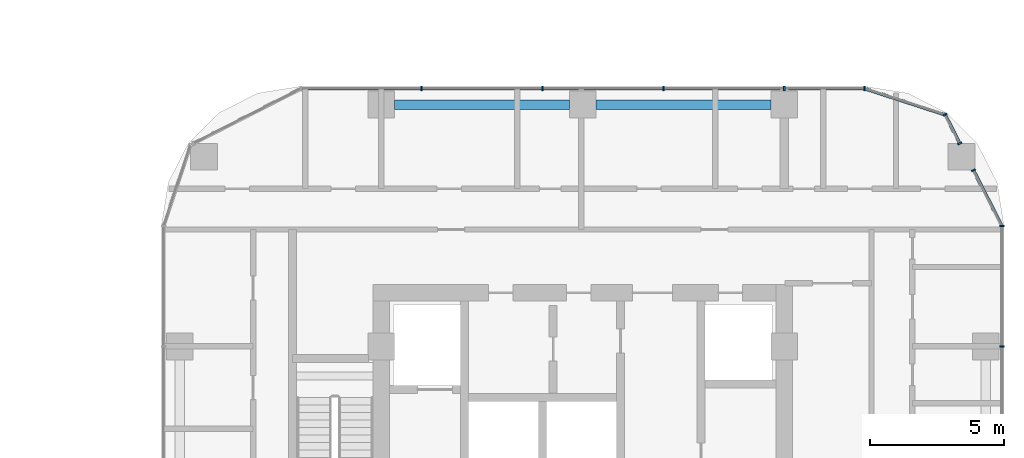
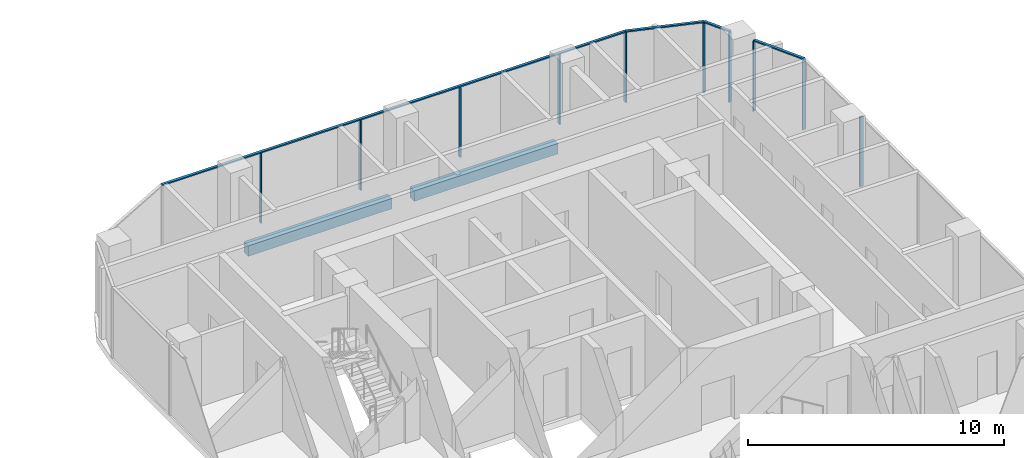
# One storey, part 8 of 30: 14 members, 2 beams, 4 elements without a shape of their own.
"""IFC4 building model written with IfcOpenShell, lengths in metres."""

from ifc_helpers import new_model, si_unit, direction, frame, origin, origin_2d, place, context, subcontext, project, spatial, rectangle, extrude, material, material_profile, profile_set, type_object, element, aggregate, save


model = new_model("IFC4")

# Units and contexts
model_context = context("Model", 3, precision=1e-05, world=origin(), true_north=direction((0.0, 1.0)))
body_context = subcontext(model_context, "Body", "Model", "MODEL_VIEW")
ifc_project = project(units=[si_unit("LENGTHUNIT", "METRE"), si_unit("AREAUNIT", "SQUARE_METRE"), si_unit("VOLUMEUNIT", "CUBIC_METRE"), si_unit("PLANEANGLEUNIT", "RADIAN"), si_unit("MASSUNIT", "GRAM", prefix="KILO")], contexts=[model_context])

# Site, building, storey
site_placement = place(None, origin())
site = spatial("IfcSite", under=ifc_project, at=site_placement, CompositionType="ELEMENT")
building_placement = place(site_placement, origin())
building = spatial("IfcBuilding", under=site, at=building_placement, Name="Ogive Portal Towers", CompositionType="ELEMENT")
storey_placement = place(building_placement, frame((0.0, 0.0, 37.199951171875)))
storey = spatial("IfcBuildingStorey", under=building, at=storey_placement, Name="L07", CompositionType="ELEMENT", Elevation=37.199951171875)

# Curtain wall, members
ifc_material_1 = material(Name="Glass, clear low-iron insulated glazing", Category="glass")
curtain_wall_type = type_object("IfcCurtainWallType", Name="CW RESIDENCES RIBBON", PredefinedType="NOTDEFINED", material=ifc_material_1)
curtain_wall_1_placement = place(storey_placement, origin())
curtain_wall_1 = element("IfcCurtainWall", 1, at=curtain_wall_1_placement, inside=storey, type_object=curtain_wall_type, Name="B:L07:f05:cw0", PredefinedType="NOTDEFINED")
ifc_material_2 = material(Name="Aluminium 6063 anodised", Category="aluminium")
ifc_material_profile_1 = material_profile(ifc_material_2, rectangle(XDim=0.159912109375, YDim=0.06005859375, at=origin_2d()), Name="AL 60x160")
ifc_profile_set_1 = profile_set([ifc_material_profile_1], Name="Aluminium 6063 anodised")
member_type_1 = type_object("IfcMemberType", Name="CW MULLION 60x160", PredefinedType="MULLION", material=ifc_profile_set_1)
member_1_placement = place(storey_placement, frame((152.10009765625, 35.5, 0.0), z_axis=(0.0, 0.0, 1.0), x_axis=(-1.0, 0.0, 0.0)))
member_1 = element("IfcMember", 2, at=member_1_placement, type_object=member_type_1, Name="mullion", PredefinedType="MULLION", context=body_context, shape_type="SweptSolid", body=[
    extrude(rectangle(XDim=0.159912109375, YDim=0.06005859375, at=origin_2d()), origin(), (0.0, 0.0, 1.0), 3.340087890625),
])
member_2_placement = place(storey_placement, frame((152.10009765625, 39.980712890625, 0.0), z_axis=(0.0, 0.0, 1.0), x_axis=(-1.0, 0.0, 0.0)))
member_2 = element("IfcMember", 3, at=member_2_placement, type_object=member_type_1, Name="mullion", PredefinedType="MULLION", context=body_context, shape_type="SweptSolid", body=[
    extrude(rectangle(XDim=0.159912109375, YDim=0.06005859375, at=origin_2d()), origin(), (0.0, 0.0, 1.0), 3.340087890625),
])
aggregate(curtain_wall_1, [member_1, member_2])

curtain_wall_2_placement = place(storey_placement, origin())
curtain_wall_2 = element("IfcCurtainWall", 4, at=curtain_wall_2_placement, inside=storey, type_object=curtain_wall_type, Name="B:L07:f08:cw0", PredefinedType="NOTDEFINED")
member_3_placement = place(storey_placement, frame((146.9873046875, 45.10009765625, 0.0), z_axis=(0.0, 0.0, 1.0), x_axis=(0.0, -1.0, 0.0)))
member_3 = element("IfcMember", 5, at=member_3_placement, type_object=member_type_1, Name="mullion", PredefinedType="MULLION", context=body_context, shape_type="SweptSolid", body=[
    extrude(rectangle(XDim=0.159912109375, YDim=0.06005859375, at=origin_2d()), origin(), (0.0, 0.0, 1.0), 3.340087890625),
])
member_4_placement = place(storey_placement, frame((144.0, 45.10009765625, 0.0), z_axis=(0.0, 0.0, 1.0), x_axis=(0.0, -1.0, 0.0)))
member_4 = element("IfcMember", 6, at=member_4_placement, type_object=member_type_1, Name="mullion", PredefinedType="MULLION", context=body_context, shape_type="SweptSolid", body=[
    extrude(rectangle(XDim=0.159912109375, YDim=0.06005859375, at=origin_2d()), origin(), (0.0, 0.0, 1.0), 3.340087890625),
])
member_5_placement = place(storey_placement, frame((139.5, 45.10009765625, 0.0), z_axis=(0.0, 0.0, 1.0), x_axis=(0.0, -1.0, 0.0)))
member_5 = element("IfcMember", 7, at=member_5_placement, type_object=member_type_1, Name="mullion", PredefinedType="MULLION", context=body_context, shape_type="SweptSolid", body=[
    extrude(rectangle(XDim=0.159912109375, YDim=0.06005859375, at=origin_2d()), origin(), (0.0, 0.0, 1.0), 3.340087890625),
])
member_6_placement = place(storey_placement, frame((135.0, 45.10009765625, 0.0), z_axis=(0.0, 0.0, 1.0), x_axis=(0.0, -1.0, 0.0)))
member_6 = element("IfcMember", 8, at=member_6_placement, type_object=member_type_1, Name="mullion", PredefinedType="MULLION", context=body_context, shape_type="SweptSolid", body=[
    extrude(rectangle(XDim=0.159912109375, YDim=0.06005859375, at=origin_2d()), origin(), (0.0, 0.0, 1.0), 3.340087890625),
])
member_7_placement = place(storey_placement, frame((130.5, 45.10009765625, 0.0), z_axis=(0.0, 0.0, 1.0), x_axis=(0.0, -1.0, 0.0)))
member_7 = element("IfcMember", 9, at=member_7_placement, type_object=member_type_1, Name="mullion", PredefinedType="MULLION", context=body_context, shape_type="SweptSolid", body=[
    extrude(rectangle(XDim=0.159912109375, YDim=0.06005859375, at=origin_2d()), origin(), (0.0, 0.0, 1.0), 3.340087890625),
])

# Curtain wall, member
curtain_wall_3_placement = place(storey_placement, origin())
curtain_wall_3 = element("IfcCurtainWall", 10, at=curtain_wall_3_placement, inside=storey, type_object=curtain_wall_type, Name="B:L07:f06:cwa~0", PredefinedType="NOTDEFINED")
member_8_placement = place(storey_placement, frame((151.04150390625, 42.05810546875, 0.0), z_axis=(0.0, 0.0, 1.0), x_axis=(-0.891006524188, -0.45399049974, 0.0)))
member_8 = element("IfcMember", 11, at=member_8_placement, type_object=member_type_1, Name="mullion", PredefinedType="MULLION", context=body_context, shape_type="SweptSolid", body=[
    extrude(rectangle(XDim=0.159912109375, YDim=0.06005859375, at=origin_2d()), origin(), (0.0, 0.0, 1.0), 3.340087890625),
])

# Curtain wall, members
curtain_wall_4_placement = place(storey_placement, origin())
curtain_wall_4 = element("IfcCurtainWall", 12, at=curtain_wall_4_placement, inside=storey, type_object=curtain_wall_type, Name="B:L07:f06:cwa~1", PredefinedType="NOTDEFINED")
member_9_placement = place(storey_placement, frame((150.531982421875, 43.05810546875, 0.0), z_axis=(0.0, 0.0, 1.0), x_axis=(-0.891006524188, -0.45399049974, 0.0)))
member_9 = element("IfcMember", 13, at=member_9_placement, type_object=member_type_1, Name="mullion", PredefinedType="MULLION", context=body_context, shape_type="SweptSolid", body=[
    extrude(rectangle(XDim=0.159912109375, YDim=0.06005859375, at=origin_2d()), origin(), (0.0, 0.0, 1.0), 3.340087890625),
])
member_10_placement = place(storey_placement, frame((149.988525390625, 44.124755859375, 0.0), z_axis=(0.0, 0.0, 1.0), x_axis=(-0.891006524188, -0.45399049974, 0.0)))
member_10 = element("IfcMember", 14, at=member_10_placement, type_object=member_type_1, Name="mullion", PredefinedType="MULLION", context=body_context, shape_type="SweptSolid", body=[
    extrude(rectangle(XDim=0.159912109375, YDim=0.06005859375, at=origin_2d()), origin(), (0.0, 0.0, 1.0), 3.340087890625),
])

# Member
ifc_material_profile_2 = material_profile(ifc_material_2, rectangle(XDim=0.1201171875, YDim=0.06005859375, at=origin_2d()), Name="AL 120x60")
ifc_profile_set_2 = profile_set([ifc_material_profile_2], Name="Aluminium 6063 anodised")
member_type_2 = type_object("IfcMemberType", Name="CW TRANSOM 60x120", PredefinedType="USERDEFINED", material=ifc_profile_set_2)
member_11_placement = place(storey_placement, frame((146.9873046875, 45.10009765625, 3.3701171875), z_axis=(-1.0, 0.0, 0.0), x_axis=(0.0, -1.0, 0.0)))
member_11 = element("IfcMember", 15, at=member_11_placement, type_object=member_type_2, Name="transom", ObjectType="TRANSOM", PredefinedType="USERDEFINED", context=body_context, shape_type="SweptSolid", body=[
    extrude(rectangle(XDim=0.1201171875, YDim=0.06005859375, at=origin_2d()), origin(), (0.0, 0.0, 1.0), 20.968017578125),
])

aggregate(curtain_wall_2, [member_11, member_3, member_4, member_5, member_6, member_7])

member_12_placement = place(storey_placement, frame((152.10009765625, 39.980712890625, 3.3701171875), z_axis=(-0.454027737199, 0.890987549775, 0.0), x_axis=(-0.890987549775, -0.454027737199, 0.0)))
member_12 = element("IfcMember", 16, at=member_12_placement, type_object=member_type_2, Name="transom", ObjectType="TRANSOM", PredefinedType="USERDEFINED", context=body_context, shape_type="SweptSolid", body=[
    extrude(rectangle(XDim=0.1201171875, YDim=0.06005859375, at=origin_2d()), origin(), (0.0, 0.0, 1.0), 2.33154296875),
])

aggregate(curtain_wall_3, [member_12, member_8])

member_13_placement = place(storey_placement, frame((150.531982421875, 43.05810546875, 3.3701171875), z_axis=(-0.453971606911, 0.891016150313, 0.0), x_axis=(-0.891016150313, -0.453971606911, 0.0)))
member_13 = element("IfcMember", 17, at=member_13_placement, type_object=member_type_2, Name="transom", ObjectType="TRANSOM", PredefinedType="USERDEFINED", context=body_context, shape_type="SweptSolid", body=[
    extrude(rectangle(XDim=0.1201171875, YDim=0.06005859375, at=origin_2d()), origin(), (0.0, 0.0, 1.0), 1.197021484375),
])

member_14_placement = place(storey_placement, frame((149.988525390625, 44.124755859375, 3.3701171875), z_axis=(-0.951039185402, 0.309070328291, 0.0), x_axis=(-0.309070328291, -0.951039185402, 0.0)))
member_14 = element("IfcMember", 18, at=member_14_placement, type_object=member_type_2, Name="transom", ObjectType="TRANSOM", PredefinedType="USERDEFINED", context=body_context, shape_type="SweptSolid", body=[
    extrude(rectangle(XDim=0.1201171875, YDim=0.06005859375, at=origin_2d()), origin(), (0.0, 0.0, 1.0), 3.15576171875),
])

aggregate(curtain_wall_4, [member_13, member_14, member_9, member_10])

# Beams
ifc_material_3 = material(Name="Concrete C50/60", Category="concrete")
ifc_material_profile_3 = material_profile(ifc_material_3, rectangle(XDim=0.35009765625, YDim=0.5, at=origin_2d()), Name="RC 350x500")
ifc_profile_set_3 = profile_set([ifc_material_profile_3], Name="Concrete C50/60")
beam_type = type_object("IfcBeamType", Name="SPANDREL BEAM RC 350x500", PredefinedType="BEAM", material=ifc_profile_set_3)
for number, where, z_axis, x_axis, name in (
    (19, (143.5, 44.5, -0.550048828125), (-1.0, 0.0, 0.0), (0.0, -1.0, 0.0), "Spandrel beam L07"),
    (20, (136.0, 44.5, -0.550048828125), (-1.0, 0.0, 0.0), (0.0, -1.0, 0.0), "Spandrel beam L07"),
):
    element("IfcBeam", number, at=place(storey_placement, frame(where, z_axis=z_axis, x_axis=x_axis)), inside=storey, type_object=beam_type, Name=name, PredefinedType="BEAM", context=body_context, shape_type="SweptSolid", body=[
        extrude(rectangle(XDim=0.35009765625, YDim=0.5, at=origin_2d()), origin(), (0.0, 0.0, 1.0), 6.5),
    ])

save(model, "model.ifc")
